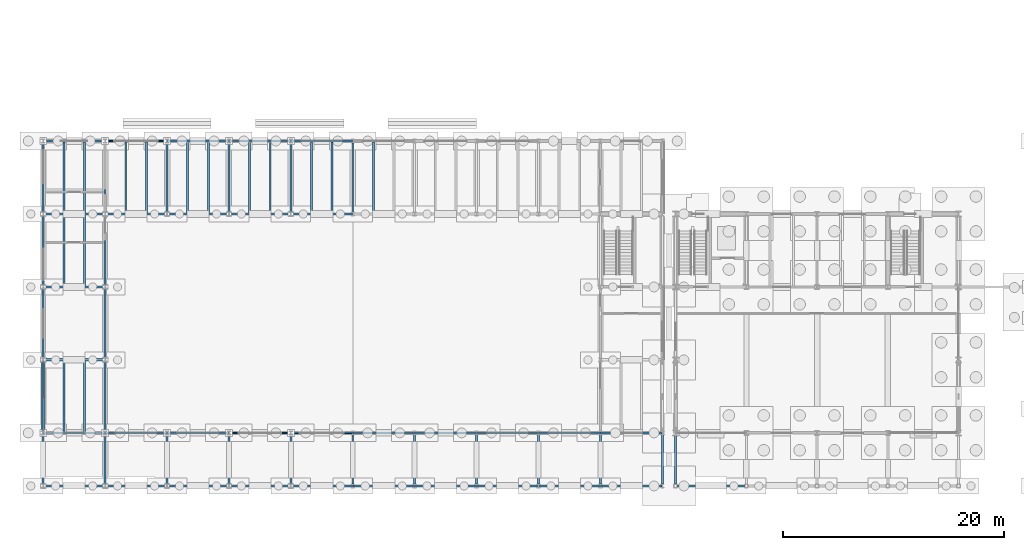
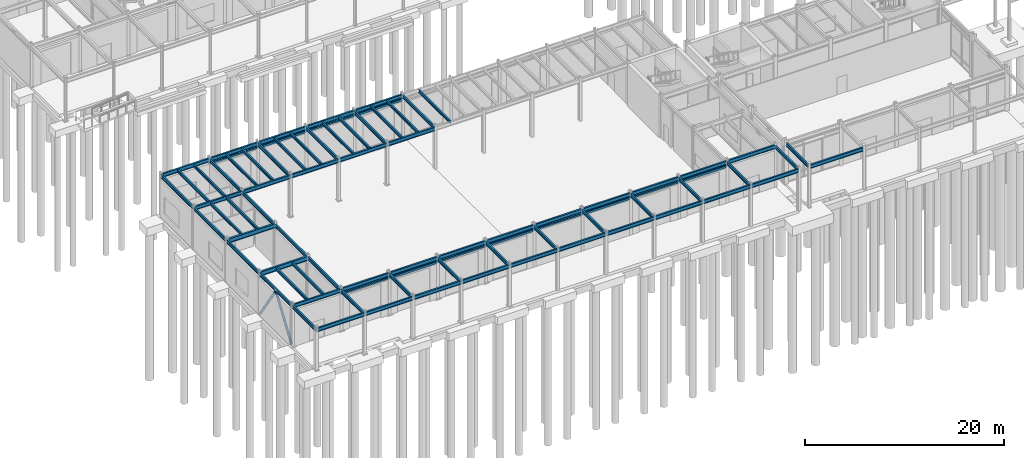
# One storey, part 30 of 82: 84 beams, 2 members.
"""IFC4 building model written with IfcOpenShell, lengths in metres."""

from ifc_helpers import new_model, si_unit, direction, frame, origin, origin_2d, place, context, subcontext, project, spatial, hollow_rectangle, hollow_circle, i_section, extrude, material, material_profile, profile_set, type_object, element, save


model = new_model("IFC4")

# Units and contexts
model_context = context("Model", 3, precision=1e-05, world=origin(), true_north=direction((0.0, 1.0)))
body_context = subcontext(model_context, "Body", "Model", "MODEL_VIEW")
ifc_project = project(units=[si_unit("LENGTHUNIT", "METRE"), si_unit("AREAUNIT", "SQUARE_METRE"), si_unit("VOLUMEUNIT", "CUBIC_METRE"), si_unit("PLANEANGLEUNIT", "RADIAN"), si_unit("MASSUNIT", "GRAM", prefix="KILO")], contexts=[model_context])

# Site, building, storey
site_placement = place(None, origin())
site = spatial("IfcSite", under=ifc_project, at=site_placement, CompositionType="ELEMENT")
building_placement = place(site_placement, origin())
building = spatial("IfcBuilding", under=site, at=building_placement, Name="Trelmorton Wharf Fire Station", CompositionType="ELEMENT")
storey_placement = place(building_placement, origin())
storey = spatial("IfcBuildingStorey", under=building, at=storey_placement, Name="L00", CompositionType="ELEMENT", Elevation=0.0)

# Beams
ifc_material_1 = material(Name="Steel Grade 350", Category="steel")
ifc_material_profile_1 = material_profile(ifc_material_1, i_section(OverallWidth=0.177978515625, OverallDepth=0.406005859375, WebThickness=0.0078125, FlangeThickness=0.0126953125, FilletRadius=0.011474609375, at=origin_2d()), Name="410UB59.7")
ifc_profile_set_1 = profile_set([ifc_material_profile_1], Name="Steel Grade 350")
beam_type_1 = type_object("IfcBeamType", Name="BM_410UB60", PredefinedType="BEAM", material=ifc_profile_set_1)
beam_1_placement = place(storey_placement, frame((0.800048828125, 3.153564453125, 4.927001953125), z_axis=(0.0, 1.0, 0.0), x_axis=(-1.0, 0.0, 0.0)))
element("IfcBeam", 1, at=beam_1_placement, inside=storey, type_object=beam_type_1, Name="BM-L00-0210", PredefinedType="BEAM", context=body_context, shape_type="SweptSolid", body=[
    extrude(i_section(OverallWidth=0.177978515625, OverallDepth=0.406005859375, WebThickness=0.0078125, FlangeThickness=0.0126953125, FilletRadius=0.011474609375, at=origin_2d()), origin(), (0.0, 0.0, 1.0), 4.48681640625),
])
beam_2_placement = place(storey_placement, frame((0.800048828125, 7.95947265625, 4.927001953125), z_axis=(0.0, 1.0, 0.0), x_axis=(-1.0, 0.0, 0.0)))
element("IfcBeam", 2, at=beam_2_placement, inside=storey, type_object=beam_type_1, Name="BM-L00-0211", PredefinedType="BEAM", context=body_context, shape_type="SweptSolid", body=[
    extrude(i_section(OverallWidth=0.177978515625, OverallDepth=0.406005859375, WebThickness=0.0078125, FlangeThickness=0.0126953125, FilletRadius=0.011474609375, at=origin_2d()), origin(), (0.0, 0.0, 1.0), 6.287109375),
])
for number, where, z_axis, x_axis, name in (
    (3, (0.800048828125, 14.553466796875, 4.927001953125), (0.0, 1.0, 0.0), (-1.0, 0.0, 0.0), "BM-L00-0212"),
    (4, (0.800048828125, 21.153564453125, 4.927001953125), (0.0, 1.0, 0.0), (-1.0, 0.0, 0.0), "BM-L00-0213"),
):
    element("IfcBeam", number, at=place(storey_placement, frame(where, z_axis=z_axis, x_axis=x_axis)), inside=storey, type_object=beam_type_1, Name=name, PredefinedType="BEAM", context=body_context, shape_type="SweptSolid", body=[
        extrude(i_section(OverallWidth=0.177978515625, OverallDepth=0.406005859375, WebThickness=0.0078125, FlangeThickness=0.0126953125, FilletRadius=0.011474609375, at=origin_2d()), origin(), (0.0, 0.0, 1.0), 6.29296875),
    ])
beam_3_placement = place(storey_placement, frame((0.800048828125, 27.75341796875, 4.927001953125), z_axis=(0.0, 1.0, 0.0), x_axis=(-1.0, 0.0, 0.0)))
element("IfcBeam", 5, at=beam_3_placement, inside=storey, type_object=beam_type_1, Name="BM-L00-0214", PredefinedType="BEAM", context=body_context, shape_type="SweptSolid", body=[
    extrude(i_section(OverallWidth=0.177978515625, OverallDepth=0.406005859375, WebThickness=0.0078125, FlangeThickness=0.0126953125, FilletRadius=0.011474609375, at=origin_2d()), origin(), (0.0, 0.0, 1.0), 6.287109375),
])
beam_4_placement = place(storey_placement, frame((6.39990234375, 3.153564453125, 4.927001953125), z_axis=(0.0, 1.0, 0.0), x_axis=(-1.0, 0.0, 0.0)))
element("IfcBeam", 6, at=beam_4_placement, inside=storey, type_object=beam_type_1, Name="BM-L00-0219", PredefinedType="BEAM", context=body_context, shape_type="SweptSolid", body=[
    extrude(i_section(OverallWidth=0.177978515625, OverallDepth=0.406005859375, WebThickness=0.0078125, FlangeThickness=0.0126953125, FilletRadius=0.011474609375, at=origin_2d()), origin(), (0.0, 0.0, 1.0), 4.48681640625),
])
beam_5_placement = place(storey_placement, frame((6.39990234375, 7.95947265625, 4.927001953125), z_axis=(0.0, 1.0, 0.0), x_axis=(-1.0, 0.0, 0.0)))
element("IfcBeam", 7, at=beam_5_placement, inside=storey, type_object=beam_type_1, Name="BM-L00-0220", PredefinedType="BEAM", context=body_context, shape_type="SweptSolid", body=[
    extrude(i_section(OverallWidth=0.177978515625, OverallDepth=0.406005859375, WebThickness=0.0078125, FlangeThickness=0.0126953125, FilletRadius=0.011474609375, at=origin_2d()), origin(), (0.0, 0.0, 1.0), 6.287109375),
])
for number, where, z_axis, x_axis, name in (
    (8, (6.39990234375, 14.553466796875, 4.927001953125), (0.0, 1.0, 0.0), (-1.0, 0.0, 0.0), "BM-L00-0221"),
    (9, (6.39990234375, 21.153564453125, 4.927001953125), (0.0, 1.0, 0.0), (-1.0, 0.0, 0.0), "BM-L00-0222"),
):
    element("IfcBeam", number, at=place(storey_placement, frame(where, z_axis=z_axis, x_axis=x_axis)), inside=storey, type_object=beam_type_1, Name=name, PredefinedType="BEAM", context=body_context, shape_type="SweptSolid", body=[
        extrude(i_section(OverallWidth=0.177978515625, OverallDepth=0.406005859375, WebThickness=0.0078125, FlangeThickness=0.0126953125, FilletRadius=0.011474609375, at=origin_2d()), origin(), (0.0, 0.0, 1.0), 6.29296875),
    ])
beam_6_placement = place(storey_placement, frame((6.39990234375, 27.75341796875, 4.927001953125), z_axis=(0.0, 1.0, 0.0), x_axis=(-1.0, 0.0, 0.0)))
element("IfcBeam", 10, at=beam_6_placement, inside=storey, type_object=beam_type_1, Name="BM-L00-0223", PredefinedType="BEAM", context=body_context, shape_type="SweptSolid", body=[
    extrude(i_section(OverallWidth=0.177978515625, OverallDepth=0.406005859375, WebThickness=0.0078125, FlangeThickness=0.0126953125, FilletRadius=0.011474609375, at=origin_2d()), origin(), (0.0, 0.0, 1.0), 6.287109375),
])
beam_7_placement = place(storey_placement, frame((12.0, 3.153564453125, 4.927001953125), z_axis=(0.0, 1.0, 0.0), x_axis=(-1.0, 0.0, 0.0)))
element("IfcBeam", 11, at=beam_7_placement, inside=storey, type_object=beam_type_1, Name="BM-L00-0228", PredefinedType="BEAM", context=body_context, shape_type="SweptSolid", body=[
    extrude(i_section(OverallWidth=0.177978515625, OverallDepth=0.406005859375, WebThickness=0.0078125, FlangeThickness=0.0126953125, FilletRadius=0.011474609375, at=origin_2d()), origin(), (0.0, 0.0, 1.0), 4.48681640625),
])
beam_8_placement = place(storey_placement, frame((12.0, 27.75341796875, 4.927001953125), z_axis=(0.0, 1.0, 0.0), x_axis=(-1.0, 0.0, 0.0)))
element("IfcBeam", 12, at=beam_8_placement, inside=storey, type_object=beam_type_1, Name="BM-L00-0229", PredefinedType="BEAM", context=body_context, shape_type="SweptSolid", body=[
    extrude(i_section(OverallWidth=0.177978515625, OverallDepth=0.406005859375, WebThickness=0.0078125, FlangeThickness=0.0126953125, FilletRadius=0.011474609375, at=origin_2d()), origin(), (0.0, 0.0, 1.0), 6.287109375),
])
beam_9_placement = place(storey_placement, frame((17.60009765625, 3.153564453125, 4.927001953125), z_axis=(0.0, 1.0, 0.0), x_axis=(-1.0, 0.0, 0.0)))
element("IfcBeam", 13, at=beam_9_placement, inside=storey, type_object=beam_type_1, Name="BM-L00-0234", PredefinedType="BEAM", context=body_context, shape_type="SweptSolid", body=[
    extrude(i_section(OverallWidth=0.177978515625, OverallDepth=0.406005859375, WebThickness=0.0078125, FlangeThickness=0.0126953125, FilletRadius=0.011474609375, at=origin_2d()), origin(), (0.0, 0.0, 1.0), 4.48681640625),
])
beam_10_placement = place(storey_placement, frame((17.60009765625, 27.75341796875, 4.927001953125), z_axis=(0.0, 1.0, 0.0), x_axis=(-1.0, 0.0, 0.0)))
element("IfcBeam", 14, at=beam_10_placement, inside=storey, type_object=beam_type_1, Name="BM-L00-0235", PredefinedType="BEAM", context=body_context, shape_type="SweptSolid", body=[
    extrude(i_section(OverallWidth=0.177978515625, OverallDepth=0.406005859375, WebThickness=0.0078125, FlangeThickness=0.0126953125, FilletRadius=0.011474609375, at=origin_2d()), origin(), (0.0, 0.0, 1.0), 6.287109375),
])
beam_11_placement = place(storey_placement, frame((23.199951171875, 3.153564453125, 4.927001953125), z_axis=(0.0, 1.0, 0.0), x_axis=(-1.0, 0.0, 0.0)))
element("IfcBeam", 15, at=beam_11_placement, inside=storey, type_object=beam_type_1, Name="BM-L00-0240", PredefinedType="BEAM", context=body_context, shape_type="SweptSolid", body=[
    extrude(i_section(OverallWidth=0.177978515625, OverallDepth=0.406005859375, WebThickness=0.0078125, FlangeThickness=0.0126953125, FilletRadius=0.011474609375, at=origin_2d()), origin(), (0.0, 0.0, 1.0), 4.48681640625),
])
beam_12_placement = place(storey_placement, frame((23.199951171875, 27.75341796875, 4.927001953125), z_axis=(0.0, 1.0, 0.0), x_axis=(-1.0, 0.0, 0.0)))
element("IfcBeam", 16, at=beam_12_placement, inside=storey, type_object=beam_type_1, Name="BM-L00-0241", PredefinedType="BEAM", context=body_context, shape_type="SweptSolid", body=[
    extrude(i_section(OverallWidth=0.177978515625, OverallDepth=0.406005859375, WebThickness=0.0078125, FlangeThickness=0.0126953125, FilletRadius=0.011474609375, at=origin_2d()), origin(), (0.0, 0.0, 1.0), 6.287109375),
])
beam_13_placement = place(storey_placement, frame((28.800048828125, 3.153564453125, 4.927001953125), z_axis=(0.0, 1.0, 0.0), x_axis=(-1.0, 0.0, 0.0)))
element("IfcBeam", 17, at=beam_13_placement, inside=storey, type_object=beam_type_1, Name="BM-L00-0246", PredefinedType="BEAM", context=body_context, shape_type="SweptSolid", body=[
    extrude(i_section(OverallWidth=0.177978515625, OverallDepth=0.406005859375, WebThickness=0.0078125, FlangeThickness=0.0126953125, FilletRadius=0.011474609375, at=origin_2d()), origin(), (0.0, 0.0, 1.0), 4.48681640625),
])
beam_14_placement = place(storey_placement, frame((28.800048828125, 27.75341796875, 4.927001953125), z_axis=(0.0, 1.0, 0.0), x_axis=(-1.0, 0.0, 0.0)))
element("IfcBeam", 18, at=beam_14_placement, inside=storey, type_object=beam_type_1, Name="BM-L00-0247", PredefinedType="BEAM", context=body_context, shape_type="SweptSolid", body=[
    extrude(i_section(OverallWidth=0.177978515625, OverallDepth=0.406005859375, WebThickness=0.0078125, FlangeThickness=0.0126953125, FilletRadius=0.011474609375, at=origin_2d()), origin(), (0.0, 0.0, 1.0), 6.287109375),
])
for number, where, z_axis, x_axis, name in (
    (19, (34.39990234375, 3.153564453125, 4.927001953125), (0.0, 1.0, 0.0), (-1.0, 0.0, 0.0), "BM-L00-0252"),
    (20, (40.0, 3.153564453125, 4.927001953125), (0.0, 1.0, 0.0), (-1.0, 0.0, 0.0), "BM-L00-0258"),
    (21, (45.60009765625, 3.153564453125, 4.927001953125), (0.0, 1.0, 0.0), (-1.0, 0.0, 0.0), "BM-L00-0264"),
    (22, (51.199951171875, 3.153564453125, 4.927001953125), (0.0, 1.0, 0.0), (-1.0, 0.0, 0.0), "BM-L00-0270"),
    (23, (56.800048828125, 3.153564453125, 4.927001953125), (0.0, 1.0, 0.0), (-1.0, 0.0, 0.0), "BM-L00-0275"),
):
    element("IfcBeam", number, at=place(storey_placement, frame(where, z_axis=z_axis, x_axis=x_axis)), inside=storey, type_object=beam_type_1, Name=name, PredefinedType="BEAM", context=body_context, shape_type="SweptSolid", body=[
        extrude(i_section(OverallWidth=0.177978515625, OverallDepth=0.406005859375, WebThickness=0.0078125, FlangeThickness=0.0126953125, FilletRadius=0.011474609375, at=origin_2d()), origin(), (0.0, 0.0, 1.0), 4.48681640625),
    ])
beam_15_placement = place(storey_placement, frame((58.0, 3.157958984375, 4.927001953125), z_axis=(0.0, 1.0, 0.0), x_axis=(-1.0, 0.0, 0.0)))
element("IfcBeam", 24, at=beam_15_placement, inside=storey, type_object=beam_type_1, Name="BM-L00-0280", PredefinedType="BEAM", context=body_context, shape_type="SweptSolid", body=[
    extrude(i_section(OverallWidth=0.177978515625, OverallDepth=0.406005859375, WebThickness=0.0078125, FlangeThickness=0.0126953125, FilletRadius=0.011474609375, at=origin_2d()), origin(), (0.0, 0.0, 1.0), 4.39599609375),
])
ifc_material_profile_2 = material_profile(ifc_material_1, i_section(OverallWidth=0.208984375, OverallDepth=0.532958984375, WebThickness=0.01025390625, FlangeThickness=0.015625, FilletRadius=0.013916015625, at=origin_2d()), Name="530UB92.4")
ifc_profile_set_2 = profile_set([ifc_material_profile_2], Name="Steel Grade 350")
beam_type_2 = type_object("IfcBeamType", Name="BM_530UB92", PredefinedType="BEAM", material=ifc_profile_set_2)
for number, where, z_axis, x_axis, name in (
    (25, (0.803955078125, 14.39990234375, 4.863525390625), (1.0, 0.0, 0.0), (0.0, 1.0, 0.0), "BM-L00-0047"),
    (26, (0.803955078125, 21.0, 4.863525390625), (1.0, 0.0, 0.0), (0.0, 1.0, 0.0), "BM-L00-0060"),
):
    element("IfcBeam", number, at=place(storey_placement, frame(where, z_axis=z_axis, x_axis=x_axis)), inside=storey, type_object=beam_type_2, Name=name, PredefinedType="BEAM", context=body_context, shape_type="SweptSolid", body=[
        extrude(i_section(OverallWidth=0.208984375, OverallDepth=0.532958984375, WebThickness=0.01025390625, FlangeThickness=0.015625, FilletRadius=0.013916015625, at=origin_2d()), origin(), (0.0, 0.0, 1.0), 5.592041015625),
    ])
ifc_material_2 = material(Name="Signal-red architectural steel Grade 350", Category="steel")
ifc_material_profile_3 = material_profile(ifc_material_2, i_section(OverallWidth=0.19091796875, OverallDepth=0.4599609375, WebThickness=0.010009765625, FlangeThickness=0.01611328125, FilletRadius=0.011474609375, at=origin_2d()), Name="460UB82.1")
ifc_profile_set_3 = profile_set([ifc_material_profile_3], Name="Signal-red architectural steel Grade 350")
beam_type_3 = type_object("IfcBeamType", Name="BM_RED_460UB82", PredefinedType="BEAM", material=ifc_profile_set_3)
for number, where, z_axis, x_axis, name in (
    (27, (0.803955078125, 3.0, 4.89990234375), (1.0, 0.0, 0.0), (0.0, 1.0, 0.0), "BM-L00-0001"),
    (28, (6.404052734375, 3.0, 4.89990234375), (1.0, 0.0, 0.0), (0.0, 1.0, 0.0), "BM-L00-0002"),
    (29, (12.00390625, 3.0, 4.89990234375), (1.0, 0.0, 0.0), (0.0, 1.0, 0.0), "BM-L00-0003"),
    (30, (17.60400390625, 3.0, 4.89990234375), (1.0, 0.0, 0.0), (0.0, 1.0, 0.0), "BM-L00-0004"),
):
    element("IfcBeam", number, at=place(storey_placement, frame(where, z_axis=z_axis, x_axis=x_axis)), inside=storey, type_object=beam_type_3, Name=name, PredefinedType="BEAM", context=body_context, shape_type="SweptSolid", body=[
        extrude(i_section(OverallWidth=0.19091796875, OverallDepth=0.4599609375, WebThickness=0.010009765625, FlangeThickness=0.01611328125, FilletRadius=0.011474609375, at=origin_2d()), origin(), (0.0, 0.0, 1.0), 5.592041015625),
    ])
beam_16_placement = place(storey_placement, frame((23.2041015625, 3.0, 4.89990234375), z_axis=(1.0, 0.0, 0.0), x_axis=(0.0, 1.0, 0.0)))
element("IfcBeam", 31, at=beam_16_placement, inside=storey, type_object=beam_type_3, Name="BM-L00-0005", PredefinedType="BEAM", context=body_context, shape_type="SweptSolid", body=[
    extrude(i_section(OverallWidth=0.19091796875, OverallDepth=0.4599609375, WebThickness=0.010009765625, FlangeThickness=0.01611328125, FilletRadius=0.011474609375, at=origin_2d()), origin(), (0.0, 0.0, 1.0), 5.591796875),
])
for number, where, z_axis, x_axis, name in (
    (32, (28.803955078125, 3.0, 4.89990234375), (1.0, 0.0, 0.0), (0.0, 1.0, 0.0), "BM-L00-0006"),
    (33, (34.404052734375, 3.0, 4.89990234375), (1.0, 0.0, 0.0), (0.0, 1.0, 0.0), "BM-L00-0007"),
    (34, (40.00390625, 3.0, 4.89990234375), (1.0, 0.0, 0.0), (0.0, 1.0, 0.0), "BM-L00-0008"),
    (35, (45.60400390625, 3.0, 4.89990234375), (1.0, 0.0, 0.0), (0.0, 1.0, 0.0), "BM-L00-0009"),
):
    element("IfcBeam", number, at=place(storey_placement, frame(where, z_axis=z_axis, x_axis=x_axis)), inside=storey, type_object=beam_type_3, Name=name, PredefinedType="BEAM", context=body_context, shape_type="SweptSolid", body=[
        extrude(i_section(OverallWidth=0.19091796875, OverallDepth=0.4599609375, WebThickness=0.010009765625, FlangeThickness=0.01611328125, FilletRadius=0.011474609375, at=origin_2d()), origin(), (0.0, 0.0, 1.0), 5.592041015625),
    ])
beam_17_placement = place(storey_placement, frame((51.2041015625, 3.0, 4.89990234375), z_axis=(1.0, 0.0, 0.0), x_axis=(0.0, 1.0, 0.0)))
element("IfcBeam", 36, at=beam_17_placement, inside=storey, type_object=beam_type_3, Name="BM-L00-0010", PredefinedType="BEAM", context=body_context, shape_type="SweptSolid", body=[
    extrude(i_section(OverallWidth=0.19091796875, OverallDepth=0.4599609375, WebThickness=0.010009765625, FlangeThickness=0.01611328125, FilletRadius=0.011474609375, at=origin_2d()), origin(), (0.0, 0.0, 1.0), 5.591796875),
])
beam_18_placement = place(storey_placement, frame((58.157958984375, 3.0, 4.89990234375), z_axis=(1.0, 0.0, 0.0), x_axis=(0.0, 1.0, 0.0)))
element("IfcBeam", 37, at=beam_18_placement, inside=storey, type_object=beam_type_3, Name="BM-L00-0011", PredefinedType="BEAM", context=body_context, shape_type="SweptSolid", body=[
    extrude(i_section(OverallWidth=0.19091796875, OverallDepth=0.4599609375, WebThickness=0.010009765625, FlangeThickness=0.01611328125, FilletRadius=0.011474609375, at=origin_2d()), origin(), (0.0, 0.0, 1.0), 6.084228515625),
])

# Members
ifc_material_3 = material(Name="Steel C350L0 (350 MPa)", Category="steel")
ifc_material_profile_4 = material_profile(ifc_material_3, hollow_circle(Radius=0.136474609375, WallThickness=0.00927734375, at=origin_2d()), Name="273.1x9.3CHS")
ifc_profile_set_4 = profile_set([ifc_material_profile_4], Name="Steel C350L0 (350 MPa)")
member_type = type_object("IfcMemberType", Name="BR_273CHS", PredefinedType="BRACE", material=ifc_profile_set_4)
member_1_placement = place(storey_placement, frame((0.800048828125, 7.96044921875, 0.1201171875), z_axis=(0.0, 0.558764469365, 0.829326393994), x_axis=(-1.0, 0.0, 0.0)))
element("IfcMember", 38, at=member_1_placement, inside=storey, type_object=member_type, Name="CBF-V1-W-L00-A", PredefinedType="BRACE", context=body_context, shape_type="SweptSolid", body=[
    extrude(hollow_circle(Radius=0.136474609375, WallThickness=0.00927734375, at=origin_2d()), origin(), (0.0, 0.0, 1.0), 5.618896484375),
])
member_2_placement = place(storey_placement, frame((0.800048828125, 14.24560546875, 0.1201171875), z_axis=(0.0, -0.559481058826, 0.828843136434), x_axis=(1.0, 0.0, 0.0)))
element("IfcMember", 39, at=member_2_placement, inside=storey, type_object=member_type, Name="CBF-V1-W-L00-B", PredefinedType="BRACE", context=body_context, shape_type="SweptSolid", body=[
    extrude(hollow_circle(Radius=0.136474609375, WallThickness=0.00927734375, at=origin_2d()), origin(), (0.0, 0.0, 1.0), 5.6220703125),
])

# Beams
ifc_material_profile_5 = material_profile(ifc_material_1, i_section(OverallWidth=0.172119140625, OverallDepth=0.35888671875, WebThickness=0.008056640625, FlangeThickness=0.012939453125, FilletRadius=0.011474609375, at=origin_2d()), Name="360UB56.7")
ifc_profile_set_5 = profile_set([ifc_material_profile_5], Name="Steel Grade 350")
beam_type_4 = type_object("IfcBeamType", Name="JS_360UB57", PredefinedType="JOIST", material=ifc_profile_set_5)
for number, where, z_axis, x_axis, name in (
    (40, (2.666748046875, 7.889892578125, 4.950439453125), (0.0, 1.0, 0.0), (-1.0, 0.0, 0.0), "JS-L00-0001"),
    (41, (4.533203125, 7.889892578125, 4.950439453125), (0.0, 1.0, 0.0), (-1.0, 0.0, 0.0), "JS-L00-0002"),
):
    element("IfcBeam", number, at=place(storey_placement, frame(where, z_axis=z_axis, x_axis=x_axis)), inside=storey, type_object=beam_type_4, Name=name, PredefinedType="JOIST", context=body_context, shape_type="SweptSolid", body=[
        extrude(i_section(OverallWidth=0.172119140625, OverallDepth=0.35888671875, WebThickness=0.008056640625, FlangeThickness=0.012939453125, FilletRadius=0.011474609375, at=origin_2d()), origin(), (0.0, 0.0, 1.0), 6.420166015625),
    ])
for number, where, z_axis, x_axis, name in (
    (42, (2.666748046875, 21.090087890625, 4.950439453125), (0.0, 1.0, 0.0), (-1.0, 0.0, 0.0), "JS-L00-0003"),
    (43, (4.533203125, 21.090087890625, 4.950439453125), (0.0, 1.0, 0.0), (-1.0, 0.0, 0.0), "JS-L00-0004"),
):
    element("IfcBeam", number, at=place(storey_placement, frame(where, z_axis=z_axis, x_axis=x_axis)), inside=storey, type_object=beam_type_4, Name=name, PredefinedType="JOIST", context=body_context, shape_type="SweptSolid", body=[
        extrude(i_section(OverallWidth=0.172119140625, OverallDepth=0.35888671875, WebThickness=0.008056640625, FlangeThickness=0.012939453125, FilletRadius=0.011474609375, at=origin_2d()), origin(), (0.0, 0.0, 1.0), 6.419921875),
    ])
for number, where, z_axis, x_axis, name in (
    (44, (2.666748046875, 27.68994140625, 4.950439453125), (0.0, 1.0, 0.0), (-1.0, 0.0, 0.0), "JS-L00-0005"),
    (45, (4.533203125, 27.68994140625, 4.950439453125), (0.0, 1.0, 0.0), (-1.0, 0.0, 0.0), "JS-L00-0006"),
    (46, (8.2666015625, 27.68994140625, 4.950439453125), (0.0, 1.0, 0.0), (-1.0, 0.0, 0.0), "JS-L00-0009"),
    (47, (10.13330078125, 27.68994140625, 4.950439453125), (0.0, 1.0, 0.0), (-1.0, 0.0, 0.0), "JS-L00-0010"),
    (48, (13.86669921875, 27.68994140625, 4.950439453125), (0.0, 1.0, 0.0), (-1.0, 0.0, 0.0), "JS-L00-0017"),
    (49, (15.7333984375, 27.68994140625, 4.950439453125), (0.0, 1.0, 0.0), (-1.0, 0.0, 0.0), "JS-L00-0018"),
    (50, (19.466796875, 27.68994140625, 4.950439453125), (0.0, 1.0, 0.0), (-1.0, 0.0, 0.0), "JS-L00-0023"),
    (51, (21.333251953125, 27.68994140625, 4.950439453125), (0.0, 1.0, 0.0), (-1.0, 0.0, 0.0), "JS-L00-0024"),
    (52, (25.066650390625, 27.68994140625, 4.950439453125), (0.0, 1.0, 0.0), (-1.0, 0.0, 0.0), "JS-L00-0027"),
    (53, (26.933349609375, 27.68994140625, 4.950439453125), (0.0, 1.0, 0.0), (-1.0, 0.0, 0.0), "JS-L00-0028"),
    (54, (30.666748046875, 27.68994140625, 4.950439453125), (0.0, 1.0, 0.0), (-1.0, 0.0, 0.0), "JS-L00-0035"),
):
    element("IfcBeam", number, at=place(storey_placement, frame(where, z_axis=z_axis, x_axis=x_axis)), inside=storey, type_object=beam_type_4, Name=name, PredefinedType="JOIST", context=body_context, shape_type="SweptSolid", body=[
        extrude(i_section(OverallWidth=0.172119140625, OverallDepth=0.35888671875, WebThickness=0.008056640625, FlangeThickness=0.012939453125, FilletRadius=0.011474609375, at=origin_2d()), origin(), (0.0, 0.0, 1.0), 6.420166015625),
    ])
ifc_material_profile_6 = material_profile(ifc_material_3, hollow_rectangle(XDim=0.10009765625, YDim=0.199951171875, WallThickness=0.006103515625, at=origin_2d()), Name="200x100x6.0RHS")
ifc_profile_set_6 = profile_set([ifc_material_profile_6], Name="Steel C350L0 (350 MPa)")
beam_type_5 = type_object("IfcBeamType", Name="LN_200RHS", PredefinedType="LINTEL", material=ifc_profile_set_6)
for number, where, z_axis, x_axis, name in (
    (55, (6.406005859375, 7.800048828125, 4.43994140625), (1.0, 0.0, 0.0), (0.0, 1.0, 0.0), "BM-LN-AB-S-01"),
    (56, (6.406005859375, 34.199951171875, 4.43994140625), (1.0, 0.0, 0.0), (0.0, 1.0, 0.0), "BM-LN-AB-N-01"),
    (57, (17.60595703125, 7.800048828125, 4.43994140625), (1.0, 0.0, 0.0), (0.0, 1.0, 0.0), "BM-LN-AB-S-03"),
    (58, (17.60595703125, 34.199951171875, 4.43994140625), (1.0, 0.0, 0.0), (0.0, 1.0, 0.0), "BM-LN-AB-N-03"),
    (59, (28.805908203125, 7.800048828125, 4.43994140625), (1.0, 0.0, 0.0), (0.0, 1.0, 0.0), "BM-LN-AB-S-05"),
    (60, (40.005859375, 7.800048828125, 4.43994140625), (1.0, 0.0, 0.0), (0.0, 1.0, 0.0), "BM-LN-AB-S-07"),
):
    element("IfcBeam", number, at=place(storey_placement, frame(where, z_axis=z_axis, x_axis=x_axis)), inside=storey, type_object=beam_type_5, Name=name, PredefinedType="LINTEL", context=body_context, shape_type="SweptSolid", body=[
        extrude(hollow_rectangle(XDim=0.10009765625, YDim=0.199951171875, WallThickness=0.006103515625, at=origin_2d()), origin(), (0.0, 0.0, 1.0), 5.588134765625),
    ])
ifc_material_profile_7 = material_profile(ifc_material_3, hollow_rectangle(XDim=0.14990234375, YDim=0.25, WallThickness=0.009033203125, at=origin_2d()), Name="250x150x9.0RHS")
ifc_profile_set_7 = profile_set([ifc_material_profile_7], Name="Steel C350L0 (350 MPa)")
beam_type_6 = type_object("IfcBeamType", Name="LN_250RHS", PredefinedType="LINTEL", material=ifc_profile_set_7)
for number, where, z_axis, x_axis, name in (
    (61, (12.005859375, 7.800048828125, 4.43994140625), (1.0, 0.0, 0.0), (0.0, 1.0, 0.0), "BM-LN-AB-S-02"),
    (62, (12.005859375, 34.199951171875, 4.43994140625), (1.0, 0.0, 0.0), (0.0, 1.0, 0.0), "BM-LN-AB-N-02"),
    (63, (23.205810546875, 7.800048828125, 4.43994140625), (1.0, 0.0, 0.0), (0.0, 1.0, 0.0), "BM-LN-AB-S-04"),
    (64, (23.205810546875, 34.199951171875, 4.43994140625), (1.0, 0.0, 0.0), (0.0, 1.0, 0.0), "BM-LN-AB-N-04"),
):
    element("IfcBeam", number, at=place(storey_placement, frame(where, z_axis=z_axis, x_axis=x_axis)), inside=storey, type_object=beam_type_6, Name=name, PredefinedType="LINTEL", context=body_context, shape_type="SweptSolid", body=[
        extrude(hollow_rectangle(XDim=0.14990234375, YDim=0.25, WallThickness=0.009033203125, at=origin_2d()), origin(), (0.0, 0.0, 1.0), 5.58837890625),
    ])
for number, where, z_axis, x_axis, name in (
    (65, (34.406005859375, 7.800048828125, 4.43994140625), (1.0, 0.0, 0.0), (0.0, 1.0, 0.0), "BM-LN-AB-S-06"),
    (66, (45.60595703125, 7.800048828125, 4.43994140625), (1.0, 0.0, 0.0), (0.0, 1.0, 0.0), "BM-LN-AB-S-08"),
):
    element("IfcBeam", number, at=place(storey_placement, frame(where, z_axis=z_axis, x_axis=x_axis)), inside=storey, type_object=beam_type_6, Name=name, PredefinedType="LINTEL", context=body_context, shape_type="SweptSolid", body=[
        extrude(hollow_rectangle(XDim=0.14990234375, YDim=0.25, WallThickness=0.009033203125, at=origin_2d()), origin(), (0.0, 0.0, 1.0), 5.588134765625),
    ])
ifc_material_profile_8 = material_profile(ifc_material_1, i_section(OverallWidth=0.18994140625, OverallDepth=0.45703125, WebThickness=0.009033203125, FlangeThickness=0.014404296875, FilletRadius=0.011474609375, at=origin_2d()), Name="460UB74.6")
ifc_profile_set_8 = profile_set([ifc_material_profile_8], Name="Steel Grade 350")
beam_type_7 = type_object("IfcBeamType", Name="SP_460UB75", PredefinedType="SPANDREL", material=ifc_profile_set_8)
beam_19_placement = place(storey_placement, frame((0.805908203125, 7.800048828125, 4.901611328125), z_axis=(1.0, 0.0, 0.0), x_axis=(0.0, 1.0, 0.0)))
element("IfcBeam", 67, at=beam_19_placement, inside=storey, type_object=beam_type_7, Name="BM-L00-0024", PredefinedType="SPANDREL", context=body_context, shape_type="SweptSolid", body=[
    extrude(i_section(OverallWidth=0.18994140625, OverallDepth=0.45703125, WebThickness=0.009033203125, FlangeThickness=0.014404296875, FilletRadius=0.011474609375, at=origin_2d()), origin(), (0.0, 0.0, 1.0), 5.58837890625),
])
beam_20_placement = place(storey_placement, frame((6.406005859375, 7.800048828125, 4.901611328125), z_axis=(1.0, 0.0, 0.0), x_axis=(0.0, 1.0, 0.0)))
element("IfcBeam", 68, at=beam_20_placement, inside=storey, type_object=beam_type_7, Name="BM-L00-0025", PredefinedType="SPANDREL", context=body_context, shape_type="SweptSolid", body=[
    extrude(i_section(OverallWidth=0.18994140625, OverallDepth=0.45703125, WebThickness=0.009033203125, FlangeThickness=0.014404296875, FilletRadius=0.011474609375, at=origin_2d()), origin(), (0.0, 0.0, 1.0), 5.588134765625),
])
beam_21_placement = place(storey_placement, frame((12.005859375, 7.800048828125, 4.901611328125), z_axis=(1.0, 0.0, 0.0), x_axis=(0.0, 1.0, 0.0)))
element("IfcBeam", 69, at=beam_21_placement, inside=storey, type_object=beam_type_7, Name="BM-L00-0026", PredefinedType="SPANDREL", context=body_context, shape_type="SweptSolid", body=[
    extrude(i_section(OverallWidth=0.18994140625, OverallDepth=0.45703125, WebThickness=0.009033203125, FlangeThickness=0.014404296875, FilletRadius=0.011474609375, at=origin_2d()), origin(), (0.0, 0.0, 1.0), 5.58837890625),
])
beam_22_placement = place(storey_placement, frame((17.60595703125, 7.800048828125, 4.901611328125), z_axis=(1.0, 0.0, 0.0), x_axis=(0.0, 1.0, 0.0)))
element("IfcBeam", 70, at=beam_22_placement, inside=storey, type_object=beam_type_7, Name="BM-L00-0027", PredefinedType="SPANDREL", context=body_context, shape_type="SweptSolid", body=[
    extrude(i_section(OverallWidth=0.18994140625, OverallDepth=0.45703125, WebThickness=0.009033203125, FlangeThickness=0.014404296875, FilletRadius=0.011474609375, at=origin_2d()), origin(), (0.0, 0.0, 1.0), 5.588134765625),
])
beam_23_placement = place(storey_placement, frame((23.205810546875, 7.800048828125, 4.901611328125), z_axis=(1.0, 0.0, 0.0), x_axis=(0.0, 1.0, 0.0)))
element("IfcBeam", 71, at=beam_23_placement, inside=storey, type_object=beam_type_7, Name="BM-L00-0028", PredefinedType="SPANDREL", context=body_context, shape_type="SweptSolid", body=[
    extrude(i_section(OverallWidth=0.18994140625, OverallDepth=0.45703125, WebThickness=0.009033203125, FlangeThickness=0.014404296875, FilletRadius=0.011474609375, at=origin_2d()), origin(), (0.0, 0.0, 1.0), 5.58837890625),
])
for number, where, z_axis, x_axis, name in (
    (72, (28.805908203125, 7.800048828125, 4.901611328125), (1.0, 0.0, 0.0), (0.0, 1.0, 0.0), "BM-L00-0029"),
    (73, (34.406005859375, 7.800048828125, 4.901611328125), (1.0, 0.0, 0.0), (0.0, 1.0, 0.0), "BM-L00-0030"),
    (74, (40.005859375, 7.800048828125, 4.901611328125), (1.0, 0.0, 0.0), (0.0, 1.0, 0.0), "BM-L00-0031"),
    (75, (45.60595703125, 7.800048828125, 4.901611328125), (1.0, 0.0, 0.0), (0.0, 1.0, 0.0), "BM-L00-0032"),
):
    element("IfcBeam", number, at=place(storey_placement, frame(where, z_axis=z_axis, x_axis=x_axis)), inside=storey, type_object=beam_type_7, Name=name, PredefinedType="SPANDREL", context=body_context, shape_type="SweptSolid", body=[
        extrude(i_section(OverallWidth=0.18994140625, OverallDepth=0.45703125, WebThickness=0.009033203125, FlangeThickness=0.014404296875, FilletRadius=0.011474609375, at=origin_2d()), origin(), (0.0, 0.0, 1.0), 5.588134765625),
    ])
beam_24_placement = place(storey_placement, frame((51.205810546875, 7.800048828125, 4.901611328125), z_axis=(1.0, 0.0, 0.0), x_axis=(0.0, 1.0, 0.0)))
element("IfcBeam", 76, at=beam_24_placement, inside=storey, type_object=beam_type_7, Name="BM-L00-0033", PredefinedType="SPANDREL", context=body_context, shape_type="SweptSolid", body=[
    extrude(i_section(OverallWidth=0.18994140625, OverallDepth=0.45703125, WebThickness=0.009033203125, FlangeThickness=0.014404296875, FilletRadius=0.011474609375, at=origin_2d()), origin(), (0.0, 0.0, 1.0), 5.58837890625),
])
for number, where, z_axis, x_axis, name in (
    (77, (0.803955078125, 27.60009765625, 4.901611328125), (1.0, 0.0, 0.0), (0.0, 1.0, 0.0), "BM-L00-0080"),
    (78, (6.404052734375, 27.60009765625, 4.901611328125), (1.0, 0.0, 0.0), (0.0, 1.0, 0.0), "BM-L00-0081"),
    (79, (12.00390625, 27.60009765625, 4.901611328125), (1.0, 0.0, 0.0), (0.0, 1.0, 0.0), "BM-L00-0082"),
    (80, (17.60400390625, 27.60009765625, 4.901611328125), (1.0, 0.0, 0.0), (0.0, 1.0, 0.0), "BM-L00-0083"),
):
    element("IfcBeam", number, at=place(storey_placement, frame(where, z_axis=z_axis, x_axis=x_axis)), inside=storey, type_object=beam_type_7, Name=name, PredefinedType="SPANDREL", context=body_context, shape_type="SweptSolid", body=[
        extrude(i_section(OverallWidth=0.18994140625, OverallDepth=0.45703125, WebThickness=0.009033203125, FlangeThickness=0.014404296875, FilletRadius=0.011474609375, at=origin_2d()), origin(), (0.0, 0.0, 1.0), 5.592041015625),
    ])
beam_25_placement = place(storey_placement, frame((23.2041015625, 27.60009765625, 4.901611328125), z_axis=(1.0, 0.0, 0.0), x_axis=(0.0, 1.0, 0.0)))
element("IfcBeam", 81, at=beam_25_placement, inside=storey, type_object=beam_type_7, Name="BM-L00-0084", PredefinedType="SPANDREL", context=body_context, shape_type="SweptSolid", body=[
    extrude(i_section(OverallWidth=0.18994140625, OverallDepth=0.45703125, WebThickness=0.009033203125, FlangeThickness=0.014404296875, FilletRadius=0.011474609375, at=origin_2d()), origin(), (0.0, 0.0, 1.0), 5.591796875),
])
beam_26_placement = place(storey_placement, frame((0.805908203125, 34.199951171875, 4.901611328125), z_axis=(1.0, 0.0, 0.0), x_axis=(0.0, 1.0, 0.0)))
element("IfcBeam", 82, at=beam_26_placement, inside=storey, type_object=beam_type_7, Name="BM-L00-0103", PredefinedType="SPANDREL", context=body_context, shape_type="SweptSolid", body=[
    extrude(i_section(OverallWidth=0.18994140625, OverallDepth=0.45703125, WebThickness=0.009033203125, FlangeThickness=0.014404296875, FilletRadius=0.011474609375, at=origin_2d()), origin(), (0.0, 0.0, 1.0), 5.58837890625),
])
beam_27_placement = place(storey_placement, frame((6.406005859375, 34.199951171875, 4.901611328125), z_axis=(1.0, 0.0, 0.0), x_axis=(0.0, 1.0, 0.0)))
element("IfcBeam", 83, at=beam_27_placement, inside=storey, type_object=beam_type_7, Name="BM-L00-0104", PredefinedType="SPANDREL", context=body_context, shape_type="SweptSolid", body=[
    extrude(i_section(OverallWidth=0.18994140625, OverallDepth=0.45703125, WebThickness=0.009033203125, FlangeThickness=0.014404296875, FilletRadius=0.011474609375, at=origin_2d()), origin(), (0.0, 0.0, 1.0), 5.588134765625),
])
beam_28_placement = place(storey_placement, frame((12.005859375, 34.199951171875, 4.901611328125), z_axis=(1.0, 0.0, 0.0), x_axis=(0.0, 1.0, 0.0)))
element("IfcBeam", 84, at=beam_28_placement, inside=storey, type_object=beam_type_7, Name="BM-L00-0105", PredefinedType="SPANDREL", context=body_context, shape_type="SweptSolid", body=[
    extrude(i_section(OverallWidth=0.18994140625, OverallDepth=0.45703125, WebThickness=0.009033203125, FlangeThickness=0.014404296875, FilletRadius=0.011474609375, at=origin_2d()), origin(), (0.0, 0.0, 1.0), 5.58837890625),
])
beam_29_placement = place(storey_placement, frame((17.60595703125, 34.199951171875, 4.901611328125), z_axis=(1.0, 0.0, 0.0), x_axis=(0.0, 1.0, 0.0)))
element("IfcBeam", 85, at=beam_29_placement, inside=storey, type_object=beam_type_7, Name="BM-L00-0106", PredefinedType="SPANDREL", context=body_context, shape_type="SweptSolid", body=[
    extrude(i_section(OverallWidth=0.18994140625, OverallDepth=0.45703125, WebThickness=0.009033203125, FlangeThickness=0.014404296875, FilletRadius=0.011474609375, at=origin_2d()), origin(), (0.0, 0.0, 1.0), 5.588134765625),
])
beam_30_placement = place(storey_placement, frame((23.205810546875, 34.199951171875, 4.901611328125), z_axis=(1.0, 0.0, 0.0), x_axis=(0.0, 1.0, 0.0)))
element("IfcBeam", 86, at=beam_30_placement, inside=storey, type_object=beam_type_7, Name="BM-L00-0107", PredefinedType="SPANDREL", context=body_context, shape_type="SweptSolid", body=[
    extrude(i_section(OverallWidth=0.18994140625, OverallDepth=0.45703125, WebThickness=0.009033203125, FlangeThickness=0.014404296875, FilletRadius=0.011474609375, at=origin_2d()), origin(), (0.0, 0.0, 1.0), 5.58837890625),
])

save(model, "model.ifc")
